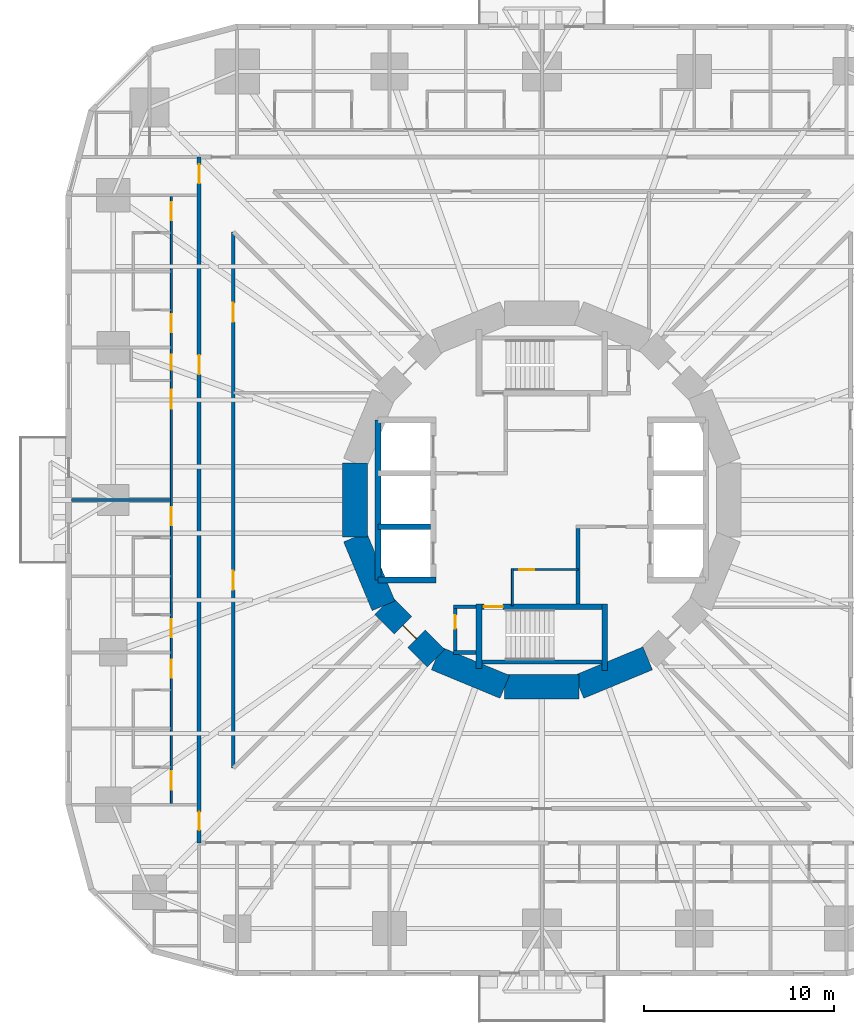
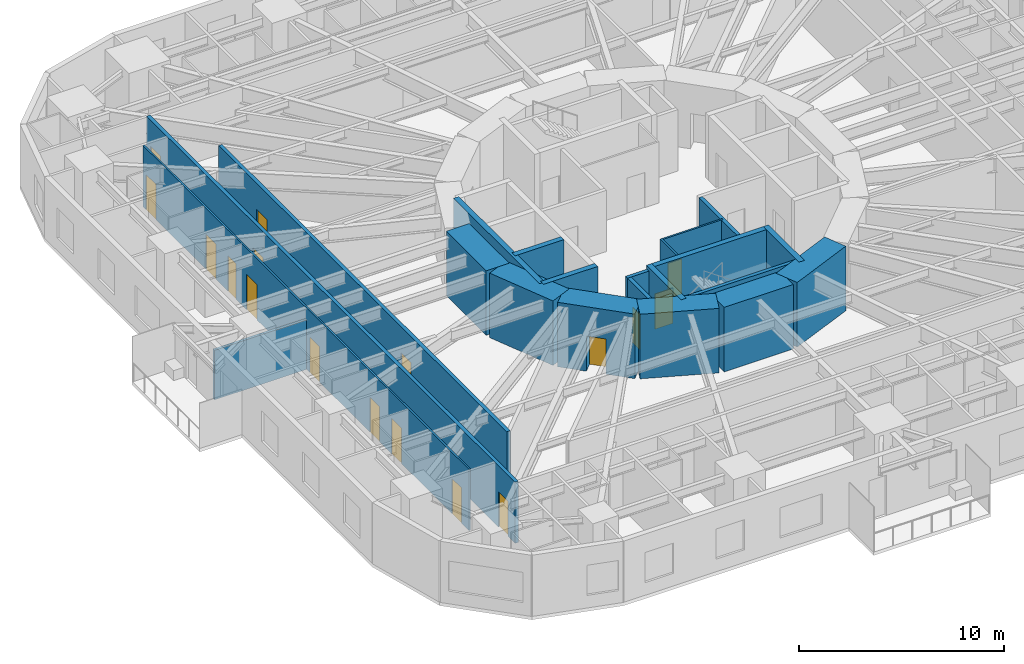
# One storey, part 6 of 14: 23 walls, 17 doors, 17 openings.
"""IFC4 building model written with IfcOpenShell, lengths in metres."""

from ifc_helpers import new_model, si_unit, direction, frame, frame_2d, origin, place, context, subcontext, project, spatial, rectangle, extrude, material, layer, layer_set, type_object, element, fill, save


model = new_model("IFC4")

# Units and contexts
model_context = context("Model", 3, precision=1e-05, world=origin(), true_north=direction((0.0, 1.0)))
body_context = subcontext(model_context, "Body", "Model", "MODEL_VIEW")
ifc_project = project(units=[si_unit("LENGTHUNIT", "METRE"), si_unit("AREAUNIT", "SQUARE_METRE"), si_unit("VOLUMEUNIT", "CUBIC_METRE"), si_unit("PLANEANGLEUNIT", "RADIAN"), si_unit("MASSUNIT", "GRAM", prefix="KILO")], contexts=[model_context])

# Site, building, storey
site_placement = place(None, origin())
site = spatial("IfcSite", under=ifc_project, at=site_placement, CompositionType="ELEMENT")
building_placement = place(site_placement, origin())
building = spatial("IfcBuilding", under=site, at=building_placement, Name="Nakasero Lantern House", CompositionType="ELEMENT")
storey_placement = place(building_placement, frame((0.0, 0.0, 31.39990234375)))
storey = spatial("IfcBuildingStorey", under=building, at=storey_placement, Name="L07", CompositionType="ELEMENT", Elevation=31.39990234375)

# Wall, openings, doors
ifc_material_1 = material(Name="Blockwork", Category="masonry")
ifc_layer_1 = layer(ifc_material_1, 0.10009765625)
ifc_layer_set_1 = layer_set([ifc_layer_1], Name="Cluster hall wall 100")
wall_type_1 = type_object("IfcWallType", Name="Cluster hall wall 100", PredefinedType="PARTITIONING", material=ifc_layer_set_1)
wall_1_placement = place(storey_placement, frame((-19.449951171875, 15.925048828125, 0.0), z_axis=(0.0, 0.0, 1.0), x_axis=(0.0, -1.0, 0.0)))
wall_1 = element("IfcWall", 1, at=wall_1_placement, inside=storey, type_object=wall_type_1, Name="Cluster hall wall L07 HW2-0", PredefinedType="PARTITIONING", context=body_context, shape_type="SweptSolid", body=[
    extrude(rectangle(XDim=31.85009765625, YDim=0.10009765625, at=frame_2d((15.925048828125, 0.0))), origin(), (0.0, 0.0, 1.0), 3.650146484375),
])
opening_1_placement = place(wall_1_placement, frame((10.125, 0.0, 0.0)))
opening_1 = element("IfcOpeningElement", 2, at=opening_1_placement, cuts=wall_1, Name="Opening D03", PredefinedType="OPENING", context=body_context, shape_type="SweptSolid", body=[
    extrude(rectangle(XDim=1.0, YDim=2.10009765625, at=frame_2d((0.5, 1.050048828125))), frame((0.0, 0.070068359375, 0.0), z_axis=(0.0, -1.0, 0.0), x_axis=(1.0, 0.0, 0.0)), (0.0, 0.0, 1.0), 0.14013671875),
])
opening_2_placement = place(wall_1_placement, frame((8.300048828125, 0.0, 0.0)))
opening_2 = element("IfcOpeningElement", 3, at=opening_2_placement, cuts=wall_1, Name="Opening D02", PredefinedType="OPENING", context=body_context, shape_type="SweptSolid", body=[
    extrude(rectangle(XDim=0.800048828125, YDim=2.10009765625, at=frame_2d((0.39990234375, 1.050048828125))), frame((0.0, 0.070068359375, 0.0), z_axis=(0.0, -1.0, 0.0), x_axis=(1.0, 0.0, 0.0)), (0.0, 0.0, 1.0), 0.14013671875),
])
opening_3_placement = place(wall_1_placement, frame((0.300048828125, 0.0, 0.0)))
opening_3 = element("IfcOpeningElement", 4, at=opening_3_placement, cuts=wall_1, Name="Opening D01", PredefinedType="OPENING", context=body_context, shape_type="SweptSolid", body=[
    extrude(rectangle(XDim=0.949951171875, YDim=2.10009765625, at=frame_2d((0.47509765625, 1.050048828125))), frame((0.0, 0.070068359375, 0.0), z_axis=(0.0, -1.0, 0.0), x_axis=(1.0, 0.0, 0.0)), (0.0, 0.0, 1.0), 0.14013671875),
])
opening_4_placement = place(wall_1_placement, frame((6.175048828125, 0.0, 0.0)))
opening_4 = element("IfcOpeningElement", 5, at=opening_4_placement, cuts=wall_1, Name="Opening D01", PredefinedType="OPENING", context=body_context, shape_type="SweptSolid", body=[
    extrude(rectangle(XDim=0.949951171875, YDim=2.10009765625, at=frame_2d((0.47509765625, 1.050048828125))), frame((0.0, 0.070068359375, 0.0), z_axis=(0.0, -1.0, 0.0), x_axis=(1.0, 0.0, 0.0)), (0.0, 0.0, 1.0), 0.14013671875),
])
opening_5_placement = place(wall_1_placement, frame((16.300048828125, 0.0, 0.0)))
opening_5 = element("IfcOpeningElement", 6, at=opening_5_placement, cuts=wall_1, Name="Opening D01", PredefinedType="OPENING", context=body_context, shape_type="SweptSolid", body=[
    extrude(rectangle(XDim=0.949951171875, YDim=2.10009765625, at=frame_2d((0.47509765625, 1.050048828125))), frame((0.0, 0.070068359375, 0.0), z_axis=(0.0, -1.0, 0.0), x_axis=(1.0, 0.0, 0.0)), (0.0, 0.0, 1.0), 0.14013671875),
])
opening_6_placement = place(wall_1_placement, frame((22.175048828125, 0.0, 0.0)))
opening_6 = element("IfcOpeningElement", 7, at=opening_6_placement, cuts=wall_1, Name="Opening D01", PredefinedType="OPENING", context=body_context, shape_type="SweptSolid", body=[
    extrude(rectangle(XDim=0.949951171875, YDim=2.10009765625, at=frame_2d((0.47509765625, 1.050048828125))), frame((0.0, 0.070068359375, 0.0), z_axis=(0.0, -1.0, 0.0), x_axis=(1.0, 0.0, 0.0)), (0.0, 0.0, 1.0), 0.14013671875),
])
opening_7_placement = place(wall_1_placement, frame((24.300048828125, 0.0, 0.0)))
opening_7 = element("IfcOpeningElement", 8, at=opening_7_placement, cuts=wall_1, Name="Opening D01", PredefinedType="OPENING", context=body_context, shape_type="SweptSolid", body=[
    extrude(rectangle(XDim=0.949951171875, YDim=2.10009765625, at=frame_2d((0.47509765625, 1.050048828125))), frame((0.0, 0.070068359375, 0.0), z_axis=(0.0, -1.0, 0.0), x_axis=(1.0, 0.0, 0.0)), (0.0, 0.0, 1.0), 0.14013671875),
])
opening_8_placement = place(wall_1_placement, frame((30.175048828125, 0.0, 0.0)))
opening_8 = element("IfcOpeningElement", 9, at=opening_8_placement, cuts=wall_1, Name="Opening D01", PredefinedType="OPENING", context=body_context, shape_type="SweptSolid", body=[
    extrude(rectangle(XDim=0.949951171875, YDim=2.10009765625, at=frame_2d((0.47509765625, 1.050048828125))), frame((0.0, 0.070068359375, 0.0), z_axis=(0.0, -1.0, 0.0), x_axis=(1.0, 0.0, 0.0)), (0.0, 0.0, 1.0), 0.14013671875),
])
ifc_material_2 = material(Name="Timber C24", Category="wood")
door_type_1 = type_object("IfcDoorType", Name="Bedroom door FD30S 950", OperationType="SINGLE_SWING_LEFT", PredefinedType="DOOR", material=ifc_material_2)
door_1_placement = place(opening_3_placement, origin())
door_1 = element("IfcDoor", 10, at=door_1_placement, inside=storey, type_object=door_type_1, Name="Door L07 D2-01", OperationType="SINGLE_SWING_LEFT", OverallHeight=2.10009765625, OverallWidth=0.949951171875, PredefinedType="DOOR", context=body_context, shape_type="SweptSolid", body=[
    extrude(rectangle(XDim=0.949951171875, YDim=2.10009765625, at=frame_2d((0.47509765625, 1.050048828125))), frame((0.0, 0.02490234375, 0.0), z_axis=(0.0, -1.0, 0.0), x_axis=(1.0, 0.0, 0.0)), (0.0, 0.0, 1.0), 0.050048828125),
])
fill(opening_3, door_1)
door_2_placement = place(opening_4_placement, origin())
door_2 = element("IfcDoor", 11, at=door_2_placement, inside=storey, type_object=door_type_1, Name="Door L07 D2-02", OperationType="SINGLE_SWING_LEFT", OverallHeight=2.10009765625, OverallWidth=0.949951171875, PredefinedType="DOOR", context=body_context, shape_type="SweptSolid", body=[
    extrude(rectangle(XDim=0.949951171875, YDim=2.10009765625, at=frame_2d((0.47509765625, 1.050048828125))), frame((0.0, 0.02490234375, 0.0), z_axis=(0.0, -1.0, 0.0), x_axis=(1.0, 0.0, 0.0)), (0.0, 0.0, 1.0), 0.050048828125),
])
fill(opening_4, door_2)
door_3_placement = place(opening_5_placement, origin())
door_3 = element("IfcDoor", 12, at=door_3_placement, inside=storey, type_object=door_type_1, Name="Door L07 D2-05", OperationType="SINGLE_SWING_RIGHT", OverallHeight=2.10009765625, OverallWidth=0.949951171875, PredefinedType="DOOR", context=body_context, shape_type="SweptSolid", body=[
    extrude(rectangle(XDim=0.949951171875, YDim=2.10009765625, at=frame_2d((0.47509765625, 1.050048828125))), frame((0.0, 0.02490234375, 0.0), z_axis=(0.0, -1.0, 0.0), x_axis=(1.0, 0.0, 0.0)), (0.0, 0.0, 1.0), 0.050048828125),
])
fill(opening_5, door_3)
door_4_placement = place(opening_6_placement, origin())
door_4 = element("IfcDoor", 13, at=door_4_placement, inside=storey, type_object=door_type_1, Name="Door L07 D2-06", OperationType="SINGLE_SWING_RIGHT", OverallHeight=2.10009765625, OverallWidth=0.949951171875, PredefinedType="DOOR", context=body_context, shape_type="SweptSolid", body=[
    extrude(rectangle(XDim=0.949951171875, YDim=2.10009765625, at=frame_2d((0.47509765625, 1.050048828125))), frame((0.0, 0.02490234375, 0.0), z_axis=(0.0, -1.0, 0.0), x_axis=(1.0, 0.0, 0.0)), (0.0, 0.0, 1.0), 0.050048828125),
])
fill(opening_6, door_4)
door_5_placement = place(opening_7_placement, origin())
door_5 = element("IfcDoor", 14, at=door_5_placement, inside=storey, type_object=door_type_1, Name="Door L07 D2-07", OperationType="SINGLE_SWING_RIGHT", OverallHeight=2.10009765625, OverallWidth=0.949951171875, PredefinedType="DOOR", context=body_context, shape_type="SweptSolid", body=[
    extrude(rectangle(XDim=0.949951171875, YDim=2.10009765625, at=frame_2d((0.47509765625, 1.050048828125))), frame((0.0, 0.02490234375, 0.0), z_axis=(0.0, -1.0, 0.0), x_axis=(1.0, 0.0, 0.0)), (0.0, 0.0, 1.0), 0.050048828125),
])
fill(opening_7, door_5)
door_6_placement = place(opening_8_placement, origin())
door_6 = element("IfcDoor", 15, at=door_6_placement, inside=storey, type_object=door_type_1, Name="Door L07 D2-08", OperationType="SINGLE_SWING_RIGHT", OverallHeight=2.10009765625, OverallWidth=0.949951171875, PredefinedType="DOOR", context=body_context, shape_type="SweptSolid", body=[
    extrude(rectangle(XDim=0.949951171875, YDim=2.10009765625, at=frame_2d((0.47509765625, 1.050048828125))), frame((0.0, 0.02490234375, 0.0), z_axis=(0.0, -1.0, 0.0), x_axis=(1.0, 0.0, 0.0)), (0.0, 0.0, 1.0), 0.050048828125),
])
fill(opening_8, door_6)
ifc_material_3 = material(Name="Timber C24", Category="wood")
door_type_2 = type_object("IfcDoorType", Name="En-suite door 800", OperationType="SINGLE_SWING_RIGHT", PredefinedType="DOOR", material=ifc_material_3)
door_7_placement = place(opening_2_placement, origin())
door_7 = element("IfcDoor", 16, at=door_7_placement, inside=storey, type_object=door_type_2, Name="Door L07 DSH2-0", OperationType="SINGLE_SWING_LEFT", OverallHeight=2.10009765625, OverallWidth=0.800048828125, PredefinedType="DOOR", context=body_context, shape_type="SweptSolid", body=[
    extrude(rectangle(XDim=0.800048828125, YDim=2.10009765625, at=frame_2d((0.39990234375, 1.050048828125))), frame((0.0, 0.02490234375, 0.0), z_axis=(0.0, -1.0, 0.0), x_axis=(1.0, 0.0, 0.0)), (0.0, 0.0, 1.0), 0.050048828125),
])
fill(opening_2, door_7)
ifc_material_4 = material(Name="Timber C24", Category="wood")
door_type_3 = type_object("IfcDoorType", Name="Lounge door FD30S 1000", OperationType="SINGLE_SWING_LEFT", PredefinedType="DOOR", material=ifc_material_4)
door_8_placement = place(opening_1_placement, origin())
door_8 = element("IfcDoor", 17, at=door_8_placement, inside=storey, type_object=door_type_3, Name="Door L07 DH2-0", OperationType="SINGLE_SWING_LEFT", OverallHeight=2.10009765625, OverallWidth=1.0, PredefinedType="DOOR", context=body_context, shape_type="SweptSolid", body=[
    extrude(rectangle(XDim=1.0, YDim=2.10009765625, at=frame_2d((0.5, 1.050048828125))), frame((0.0, 0.02490234375, 0.0), z_axis=(0.0, -1.0, 0.0), x_axis=(1.0, 0.0, 0.0)), (0.0, 0.0, 1.0), 0.050048828125),
])
fill(opening_1, door_8)

# Walls
ifc_material_5 = material(Name="Concrete C50/60", Category="concrete")
ifc_layer_2 = layer(ifc_material_5, 0.300048828125)
ifc_layer_set_2 = layer_set([ifc_layer_2], Name="Core inner wall 300")
wall_type_2 = type_object("IfcWallType", Name="Core inner wall 300", PredefinedType="SHEAR", material=ifc_layer_set_2)
wall_2_placement = place(storey_placement, frame((-8.60009765625, -4.199951171875, 0.0), z_axis=(0.0, 0.0, 1.0), x_axis=(1.0, 0.0, 0.0)))
element("IfcWall", 18, at=wall_2_placement, inside=storey, type_object=wall_type_2, Name="Core inner wall L07 LWS", PredefinedType="SHEAR", context=body_context, shape_type="SweptSolid", body=[
    extrude(rectangle(XDim=3.050048828125, YDim=0.300048828125, at=frame_2d((1.52490234375, 0.0))), origin(), (0.0, 0.0, 1.0), 3.85009765625),
])
wall_3_placement = place(storey_placement, frame((-8.60009765625, -4.199951171875, 0.0), z_axis=(0.0, 0.0, 1.0), x_axis=(0.0, 1.0, 0.0)))
element("IfcWall", 19, at=wall_3_placement, inside=storey, type_object=wall_type_2, Name="Core inner wall L07 LWB", PredefinedType="SHEAR", context=body_context, shape_type="SweptSolid", body=[
    extrude(rectangle(XDim=8.39990234375, YDim=0.300048828125, at=frame_2d((4.199951171875, 0.0))), origin(), (0.0, 0.0, 1.0), 3.85009765625),
])
wall_4_placement = place(storey_placement, frame((-8.60009765625, -1.39990234375, 0.0), z_axis=(0.0, 0.0, 1.0), x_axis=(1.0, 0.0, 0.0)))
element("IfcWall", 20, at=wall_4_placement, inside=storey, type_object=wall_type_2, Name="Core inner wall L07 LW1", PredefinedType="SHEAR", context=body_context, shape_type="SweptSolid", body=[
    extrude(rectangle(XDim=2.75, YDim=0.300048828125, at=frame_2d((1.375, 0.0))), origin(), (0.0, 0.0, 1.0), 3.85009765625),
])

# Wall, opening, door
wall_5_placement = place(storey_placement, frame((-3.449951171875, -5.60009765625, 0.0), z_axis=(0.0, 0.0, 1.0), x_axis=(1.0, 0.0, 0.0)))
wall_5 = element("IfcWall", 21, at=wall_5_placement, inside=storey, type_object=wall_type_2, Name="Core inner wall L07 SS", PredefinedType="SHEAR", context=body_context, shape_type="SweptSolid", body=[
    extrude(rectangle(XDim=6.89990234375, YDim=0.300048828125, at=frame_2d((3.449951171875, 0.0))), origin(), (0.0, 0.0, 1.0), 3.85009765625),
])
opening_9_placement = place(wall_5_placement, frame((0.39990234375, 0.0, 0.0)))
opening_9 = element("IfcOpeningElement", 22, at=opening_9_placement, cuts=wall_5, Name="Opening D05", PredefinedType="OPENING", context=body_context, shape_type="SweptSolid", body=[
    extrude(rectangle(XDim=1.0, YDim=2.10009765625, at=frame_2d((0.5, 1.050048828125))), frame((0.0, 0.169921875, 0.0), z_axis=(0.0, -1.0, 0.0), x_axis=(1.0, 0.0, 0.0)), (0.0, 0.0, 1.0), 0.340087890625),
])
ifc_material_6 = material(Name="Timber C24", Category="wood")
door_type_4 = type_object("IfcDoorType", Name="Core door FD60S 1000", OperationType="SINGLE_SWING_LEFT", PredefinedType="DOOR", material=ifc_material_6)
door_9_placement = place(opening_9_placement, origin())
door_9 = element("IfcDoor", 23, at=door_9_placement, inside=storey, type_object=door_type_4, Name="Door L07 D-ST2", OperationType="SINGLE_SWING_LEFT", OverallHeight=2.10009765625, OverallWidth=1.0, PredefinedType="DOOR", context=body_context, shape_type="SweptSolid", body=[
    extrude(rectangle(XDim=1.0, YDim=2.10009765625, at=frame_2d((0.5, 1.050048828125))), frame((0.0, 0.02490234375, 0.0), z_axis=(0.0, -1.0, 0.0), x_axis=(1.0, 0.0, 0.0)), (0.0, 0.0, 1.0), 0.050048828125),
])
fill(opening_9, door_9)

# Walls
wall_6_placement = place(storey_placement, frame((-3.300048828125, -5.449951171875, 0.0), z_axis=(0.0, 0.0, 1.0), x_axis=(0.0, -1.0, 0.0)))
element("IfcWall", 24, at=wall_6_placement, inside=storey, type_object=wall_type_2, Name="Core inner wall L07 SSW", PredefinedType="SHEAR", context=body_context, shape_type="SweptSolid", body=[
    extrude(rectangle(XDim=3.400146484375, YDim=0.300048828125, at=frame_2d((1.7001953125, 0.0))), origin(), (0.0, 0.0, 1.0), 3.85009765625),
])
wall_7_placement = place(storey_placement, frame((3.300048828125, -5.449951171875, 0.0), z_axis=(0.0, 0.0, 1.0), x_axis=(0.0, -1.0, 0.0)))
element("IfcWall", 25, at=wall_7_placement, inside=storey, type_object=wall_type_2, Name="Core inner wall L07 SSE", PredefinedType="SHEAR", context=body_context, shape_type="SweptSolid", body=[
    extrude(rectangle(XDim=3.5, YDim=0.300048828125, at=frame_2d((1.75, 0.0))), origin(), (0.0, 0.0, 1.0), 3.85009765625),
])

# Wall, opening, door
ifc_material_7 = material(Name="Blockwork", Category="masonry")
ifc_layer_3 = layer(ifc_material_7, 0.10009765625)
ifc_layer_set_3 = layer_set([ifc_layer_3], Name="Core room wall 100")
wall_type_3 = type_object("IfcWallType", Name="Core room wall 100", PredefinedType="PARTITIONING", material=ifc_layer_set_3)
wall_8_placement = place(storey_placement, frame((-1.60009765625, -3.64990234375, 0.0), z_axis=(0.0, 0.0, 1.0), x_axis=(1.0, 0.0, 0.0)))
wall_8 = element("IfcWall", 26, at=wall_8_placement, inside=storey, type_object=wall_type_3, Name="Core room wall L07 CR-SWN", PredefinedType="PARTITIONING", context=body_context, shape_type="SweptSolid", body=[
    extrude(rectangle(XDim=3.5, YDim=0.10009765625, at=frame_2d((1.75, 0.0))), origin(), (0.0, 0.0, 1.0), 3.650146484375),
])
opening_10_placement = place(wall_8_placement, frame((0.39990234375, 0.0, 0.0)))
opening_10 = element("IfcOpeningElement", 27, at=opening_10_placement, cuts=wall_8, Name="Opening D15", PredefinedType="OPENING", context=body_context, shape_type="SweptSolid", body=[
    extrude(rectangle(XDim=0.800048828125, YDim=2.10009765625, at=frame_2d((0.39990234375, 1.050048828125))), frame((0.0, 0.070068359375, 0.0), z_axis=(0.0, -1.0, 0.0), x_axis=(1.0, 0.0, 0.0)), (0.0, 0.0, 1.0), 0.14013671875),
])
ifc_material_8 = material(Name="Timber C24", Category="wood")
door_type_5 = type_object("IfcDoorType", Name="Cleaner's store door FD30S 800", OperationType="SINGLE_SWING_LEFT", PredefinedType="DOOR", material=ifc_material_8)
door_10_placement = place(opening_10_placement, origin())
door_10 = element("IfcDoor", 28, at=door_10_placement, inside=storey, type_object=door_type_5, Name="Door L07 D-CR-SW", OperationType="SINGLE_SWING_LEFT", OverallHeight=2.10009765625, OverallWidth=0.800048828125, PredefinedType="DOOR", context=body_context, shape_type="SweptSolid", body=[
    extrude(rectangle(XDim=0.800048828125, YDim=2.10009765625, at=frame_2d((0.39990234375, 1.050048828125))), frame((0.0, 0.02490234375, 0.0), z_axis=(0.0, -1.0, 0.0), x_axis=(1.0, 0.0, 0.0)), (0.0, 0.0, 1.0), 0.050048828125),
])
fill(opening_10, door_10)

# Walls
wall_9_placement = place(storey_placement, frame((-1.550048828125, -5.550048828125, 0.0), z_axis=(0.0, 0.0, 1.0), x_axis=(0.0, 1.0, 0.0)))
element("IfcWall", 29, at=wall_9_placement, inside=storey, type_object=wall_type_3, Name="Core room wall L07 CR-SWW", PredefinedType="PARTITIONING", context=body_context, shape_type="SweptSolid", body=[
    extrude(rectangle(XDim=1.949951171875, YDim=0.10009765625, at=frame_2d((0.97509765625, 0.0))), origin(), (0.0, 0.0, 1.0), 3.650146484375),
])
ifc_material_9 = material(Name="Concrete C50/60", Category="concrete")
ifc_layer_4 = layer(ifc_material_9, 1.300048828125)
ifc_layer_set_4 = layer_set([ifc_layer_4], Name="Core wall 1300")
wall_type_4 = type_object("IfcWallType", Name="Core wall 1300", PredefinedType="SHEAR", material=ifc_layer_set_4)
for number, where, z_axis, x_axis, name in (
    (30, (-9.807861328125, 1.950927734375, 0.0), (0.0, 0.0, 1.0), (0.0, -1.0, 0.0), "Core wall L07 facet 8"),
    (31, (-9.807861328125, -1.950927734375, 0.0), (0.0, 0.0, 1.0), (0.382690736062, -0.923876507187, 0.0), "Core wall L07 facet 9"),
):
    element("IfcWall", number, at=place(storey_placement, frame(where, z_axis=z_axis, x_axis=x_axis)), inside=storey, type_object=wall_type_4, Name=name, PredefinedType="SHEAR", context=body_context, shape_type="SweptSolid", body=[
        extrude(rectangle(XDim=3.90185546875, YDim=1.300048828125, at=frame_2d((1.950927734375, 0.0))), origin(), (0.0, 0.0, 1.0), 3.85009765625),
    ])

# Wall, opening, door
wall_10_placement = place(storey_placement, frame((-8.314697265625, -5.5556640625, 0.0), z_axis=(0.0, 0.0, 1.0), x_axis=(0.707106781187, -0.707106781187, 0.0)))
wall_10 = element("IfcWall", 32, at=wall_10_placement, inside=storey, type_object=wall_type_4, Name="Core wall L07 facet 10", PredefinedType="SHEAR", context=body_context, shape_type="SweptSolid", body=[
    extrude(rectangle(XDim=3.90185546875, YDim=1.300048828125, at=frame_2d((1.950927734375, 0.0))), origin(), (0.0, 0.0, 1.0), 3.85009765625),
])
opening_11_placement = place(wall_10_placement, frame((1.450927734375, 0.0, 0.0)))
opening_11 = element("IfcOpeningElement", 33, at=opening_11_placement, cuts=wall_10, Name="Opening D05", PredefinedType="OPENING", context=body_context, shape_type="SweptSolid", body=[
    extrude(rectangle(XDim=1.0, YDim=2.10009765625, at=frame_2d((0.5, 1.050048828125))), frame((0.0, 0.669921875, 0.0), z_axis=(0.0, -1.0, 0.0), x_axis=(1.0, 0.0, 0.0)), (0.0, 0.0, 1.0), 1.340087890625),
])
door_11_placement = place(opening_11_placement, origin())
door_11 = element("IfcDoor", 34, at=door_11_placement, inside=storey, type_object=door_type_4, Name="Door L07 D-CORE10", OperationType="SINGLE_SWING_LEFT", OverallHeight=2.10009765625, OverallWidth=1.0, PredefinedType="DOOR", context=body_context, shape_type="SweptSolid", body=[
    extrude(rectangle(XDim=1.0, YDim=2.10009765625, at=frame_2d((0.5, 1.050048828125))), frame((0.0, 0.02490234375, 0.0), z_axis=(0.0, -1.0, 0.0), x_axis=(1.0, 0.0, 0.0)), (0.0, 0.0, 1.0), 0.050048828125),
])
fill(opening_11, door_11)

# Walls
for number, where, z_axis, x_axis, name in (
    (35, (-5.5556640625, -8.314697265625, 0.0), (0.0, 0.0, 1.0), (0.923876507187, -0.382690736062, 0.0), "Core wall L07 facet 11"),
    (36, (-1.950927734375, -9.807861328125, 0.0), (0.0, 0.0, 1.0), (1.0, 0.0, 0.0), "Core wall L07 facet 12"),
    (37, (1.950927734375, -9.807861328125, 0.0), (0.0, 0.0, 1.0), (0.923876507187, 0.382690736062, 0.0), "Core wall L07 facet 13"),
):
    element("IfcWall", number, at=place(storey_placement, frame(where, z_axis=z_axis, x_axis=x_axis)), inside=storey, type_object=wall_type_4, Name=name, PredefinedType="SHEAR", context=body_context, shape_type="SweptSolid", body=[
        extrude(rectangle(XDim=3.90185546875, YDim=1.300048828125, at=frame_2d((1.950927734375, 0.0))), origin(), (0.0, 0.0, 1.0), 3.85009765625),
    ])

# Wall, openings, doors
ifc_material_10 = material(Name="Blockwork", Category="masonry")
ifc_layer_5 = layer(ifc_material_10, 0.199951171875)
ifc_layer_set_5 = layer_set([ifc_layer_5], Name="Corridor wall 200")
wall_type_5 = type_object("IfcWallType", Name="Corridor wall 200", PredefinedType="PARTITIONING", material=ifc_layer_set_5)
wall_11_placement = place(storey_placement, frame((-18.0, 18.0, 0.0), z_axis=(0.0, 0.0, 1.0), x_axis=(0.0, -1.0, 0.0)))
wall_11 = element("IfcWall", 38, at=wall_11_placement, inside=storey, type_object=wall_type_5, Name="Corridor wall L07 CW2", PredefinedType="PARTITIONING", context=body_context, shape_type="SweptSolid", body=[
    extrude(rectangle(XDim=36.0, YDim=0.199951171875, at=frame_2d((18.0, 0.0))), origin(), (0.0, 0.0, 1.0), 3.650146484375),
])
opening_12_placement = place(wall_11_placement, frame((10.39990234375, 0.0, 0.0)))
opening_12 = element("IfcOpeningElement", 39, at=opening_12_placement, cuts=wall_11, Name="Opening D14", PredefinedType="OPENING", context=body_context, shape_type="SweptSolid", body=[
    extrude(rectangle(XDim=1.0, YDim=2.10009765625, at=frame_2d((0.5, 1.050048828125))), frame((0.0, 0.119873046875, 0.0), z_axis=(0.0, -1.0, 0.0), x_axis=(1.0, 0.0, 0.0)), (0.0, 0.0, 1.0), 0.239990234375),
])
opening_13_placement = place(wall_11_placement, frame((0.375, 0.0, 0.0)))
opening_13 = element("IfcOpeningElement", 40, at=opening_13_placement, cuts=wall_11, Name="Opening D07", PredefinedType="OPENING", context=body_context, shape_type="SweptSolid", body=[
    extrude(rectangle(XDim=1.0, YDim=2.10009765625, at=frame_2d((0.5, 1.050048828125))), frame((0.0, 0.119873046875, 0.0), z_axis=(0.0, -1.0, 0.0), x_axis=(1.0, 0.0, 0.0)), (0.0, 0.0, 1.0), 0.239990234375),
])
opening_14_placement = place(wall_11_placement, frame((34.375, 0.0, 0.0)))
opening_14 = element("IfcOpeningElement", 41, at=opening_14_placement, cuts=wall_11, Name="Opening D01", PredefinedType="OPENING", context=body_context, shape_type="SweptSolid", body=[
    extrude(rectangle(XDim=0.949951171875, YDim=2.10009765625, at=frame_2d((0.47509765625, 1.050048828125))), frame((0.0, 0.119873046875, 0.0), z_axis=(0.0, -1.0, 0.0), x_axis=(1.0, 0.0, 0.0)), (0.0, 0.0, 1.0), 0.239990234375),
])
door_12_placement = place(opening_14_placement, origin())
door_12 = element("IfcDoor", 42, at=door_12_placement, inside=storey, type_object=door_type_1, Name="Door L07 D2-09", OperationType="SINGLE_SWING_RIGHT", OverallHeight=2.10009765625, OverallWidth=0.949951171875, PredefinedType="DOOR", context=body_context, shape_type="SweptSolid", body=[
    extrude(rectangle(XDim=0.949951171875, YDim=2.10009765625, at=frame_2d((0.47509765625, 1.050048828125))), frame((0.0, 0.02490234375, 0.0), z_axis=(0.0, -1.0, 0.0), x_axis=(1.0, 0.0, 0.0)), (0.0, 0.0, 1.0), 0.050048828125),
])
fill(opening_14, door_12)
ifc_material_11 = material(Name="Timber C24", Category="wood")
door_type_6 = type_object("IfcDoorType", Name="Cluster entrance door FD30S 1000", OperationType="SINGLE_SWING_LEFT", PredefinedType="DOOR", material=ifc_material_11)
door_13_placement = place(opening_12_placement, origin())
door_13 = element("IfcDoor", 43, at=door_13_placement, inside=storey, type_object=door_type_6, Name="Door L07 DF2-0", OperationType="SINGLE_SWING_LEFT", OverallHeight=2.10009765625, OverallWidth=1.0, PredefinedType="DOOR", context=body_context, shape_type="SweptSolid", body=[
    extrude(rectangle(XDim=1.0, YDim=2.10009765625, at=frame_2d((0.5, 1.050048828125))), frame((0.0, 0.02490234375, 0.0), z_axis=(0.0, -1.0, 0.0), x_axis=(1.0, 0.0, 0.0)), (0.0, 0.0, 1.0), 0.050048828125),
])
fill(opening_12, door_13)
ifc_material_12 = material(Name="Timber C24", Category="wood")
door_type_7 = type_object("IfcDoorType", Name="Room door FD30S 1000", OperationType="SINGLE_SWING_LEFT", PredefinedType="DOOR", material=ifc_material_12)
door_14_placement = place(opening_13_placement, origin())
door_14 = element("IfcDoor", 44, at=door_14_placement, inside=storey, type_object=door_type_7, Name="Door L07 D2-00", OperationType="SINGLE_SWING_LEFT", OverallHeight=2.10009765625, OverallWidth=1.0, PredefinedType="DOOR", context=body_context, shape_type="SweptSolid", body=[
    extrude(rectangle(XDim=1.0, YDim=2.10009765625, at=frame_2d((0.5, 1.050048828125))), frame((0.0, 0.02490234375, 0.0), z_axis=(0.0, -1.0, 0.0), x_axis=(1.0, 0.0, 0.0)), (0.0, 0.0, 1.0), 0.050048828125),
])
fill(opening_13, door_14)

wall_12_placement = place(storey_placement, frame((-16.199951171875, 14.07861328125, 0.0), z_axis=(0.0, 0.0, 1.0), x_axis=(0.0, -1.0, 0.0)))
wall_12 = element("IfcWall", 45, at=wall_12_placement, inside=storey, type_object=wall_type_5, Name="Corridor wall L07 IW2-0", PredefinedType="PARTITIONING", context=body_context, shape_type="SweptSolid", body=[
    extrude(rectangle(XDim=28.1572265625, YDim=0.199951171875, at=frame_2d((14.07861328125, 0.0))), origin(), (0.0, 0.0, 1.0), 3.650146484375),
])
opening_15_placement = place(wall_12_placement, frame((3.7236328125, 0.0, 0.0)))
opening_15 = element("IfcOpeningElement", 46, at=opening_15_placement, cuts=wall_12, Name="Opening D07", PredefinedType="OPENING", context=body_context, shape_type="SweptSolid", body=[
    extrude(rectangle(XDim=1.0, YDim=2.10009765625, at=frame_2d((0.5, 1.050048828125))), frame((0.0, 0.119873046875, 0.0), z_axis=(0.0, -1.0, 0.0), x_axis=(1.0, 0.0, 0.0)), (0.0, 0.0, 1.0), 0.239990234375),
])
opening_16_placement = place(wall_12_placement, frame((17.80224609375, 0.0, 0.0)))
opening_16 = element("IfcOpeningElement", 47, at=opening_16_placement, cuts=wall_12, Name="Opening D07", PredefinedType="OPENING", context=body_context, shape_type="SweptSolid", body=[
    extrude(rectangle(XDim=1.0, YDim=2.10009765625, at=frame_2d((0.5, 1.050048828125))), frame((0.0, 0.119873046875, 0.0), z_axis=(0.0, -1.0, 0.0), x_axis=(1.0, 0.0, 0.0)), (0.0, 0.0, 1.0), 0.239990234375),
])
door_15_placement = place(opening_15_placement, origin())
door_15 = element("IfcDoor", 48, at=door_15_placement, inside=storey, type_object=door_type_7, Name="Door L07 DI4", OperationType="SINGLE_SWING_LEFT", OverallHeight=2.10009765625, OverallWidth=1.0, PredefinedType="DOOR", context=body_context, shape_type="SweptSolid", body=[
    extrude(rectangle(XDim=1.0, YDim=2.10009765625, at=frame_2d((0.5, 1.050048828125))), frame((0.0, 0.02490234375, 0.0), z_axis=(0.0, -1.0, 0.0), x_axis=(1.0, 0.0, 0.0)), (0.0, 0.0, 1.0), 0.050048828125),
])
fill(opening_15, door_15)
door_16_placement = place(opening_16_placement, origin())
door_16 = element("IfcDoor", 49, at=door_16_placement, inside=storey, type_object=door_type_7, Name="Door L07 DI4S", OperationType="SINGLE_SWING_RIGHT", OverallHeight=2.10009765625, OverallWidth=1.0, PredefinedType="DOOR", context=body_context, shape_type="SweptSolid", body=[
    extrude(rectangle(XDim=1.0, YDim=2.10009765625, at=frame_2d((0.5, 1.050048828125))), frame((0.0, 0.02490234375, 0.0), z_axis=(0.0, -1.0, 0.0), x_axis=(1.0, 0.0, 0.0)), (0.0, 0.0, 1.0), 0.050048828125),
])
fill(opening_16, door_16)

# Wall
ifc_material_13 = material(Name="Blockwork", Category="masonry")
ifc_layer_6 = layer(ifc_material_13, 0.199951171875)
ifc_layer_set_6 = layer_set([ifc_layer_6], Name="Fire lobby wall 200")
wall_type_6 = type_object("IfcWallType", Name="Fire lobby wall 200", PredefinedType="PARTITIONING", material=ifc_layer_set_6)
wall_13_placement = place(storey_placement, frame((1.89990234375, -1.5, 0.0), z_axis=(0.0, 0.0, 1.0), x_axis=(0.0, -1.0, 0.0)))
element("IfcWall", 50, at=wall_13_placement, inside=storey, type_object=wall_type_6, Name="Fire lobby wall L07 W-FL2W", PredefinedType="PARTITIONING", context=body_context, shape_type="SweptSolid", body=[
    extrude(rectangle(XDim=3.949951171875, YDim=0.199951171875, at=frame_2d((1.97509765625, 0.0))), origin(), (0.0, 0.0, 1.0), 3.650146484375),
])

# Wall, opening, door
wall_14_placement = place(storey_placement, frame((-4.550048828125, -5.60009765625, 0.0), z_axis=(0.0, 0.0, 1.0), x_axis=(0.0, -1.0, 0.0)))
wall_14 = element("IfcWall", 51, at=wall_14_placement, inside=storey, type_object=wall_type_6, Name="Fire lobby wall L07 W-RS2W", PredefinedType="PARTITIONING", context=body_context, shape_type="SweptSolid", body=[
    extrude(rectangle(XDim=2.39990234375, YDim=0.199951171875, at=frame_2d((1.199951171875, 0.0))), origin(), (0.0, 0.0, 1.0), 3.650146484375),
])
opening_17_placement = place(wall_14_placement, frame((0.449951171875, 0.0, 0.0)))
opening_17 = element("IfcOpeningElement", 52, at=opening_17_placement, cuts=wall_14, Name="Opening D06", PredefinedType="OPENING", context=body_context, shape_type="SweptSolid", body=[
    extrude(rectangle(XDim=0.699951171875, YDim=2.10009765625, at=frame_2d((0.35009765625, 1.050048828125))), frame((0.0, 0.119873046875, 0.0), z_axis=(0.0, -1.0, 0.0), x_axis=(1.0, 0.0, 0.0)), (0.0, 0.0, 1.0), 0.239990234375),
])
ifc_material_14 = material(Name="Steel S355", Category="steel")
door_type_8 = type_object("IfcDoorType", Name="Riser door FD60 700", OperationType="SINGLE_SWING_LEFT", PredefinedType="DOOR", material=ifc_material_14)
door_17_placement = place(opening_17_placement, origin())
door_17 = element("IfcDoor", 53, at=door_17_placement, inside=storey, type_object=door_type_8, Name="Door L07 D-RS2", OperationType="SINGLE_SWING_LEFT", OverallHeight=2.10009765625, OverallWidth=0.699951171875, PredefinedType="DOOR", context=body_context, shape_type="SweptSolid", body=[
    extrude(rectangle(XDim=0.699951171875, YDim=2.10009765625, at=frame_2d((0.35009765625, 1.050048828125))), frame((0.0, 0.02490234375, 0.0), z_axis=(0.0, -1.0, 0.0), x_axis=(1.0, 0.0, 0.0)), (0.0, 0.0, 1.0), 0.050048828125),
])
fill(opening_17, door_17)

# Walls
for number, where, z_axis, x_axis, name in (
    (54, (-3.449951171875, -8.0, 0.0), (0.0, 0.0, 1.0), (-1.0, 0.0, 0.0), "Fire lobby wall L07 W-RS2S"),
    (55, (-3.449951171875, -5.60009765625, 0.0), (0.0, 0.0, 1.0), (-1.0, 0.0, 0.0), "Fire lobby wall L07 W-RS2N"),
):
    element("IfcWall", number, at=place(storey_placement, frame(where, z_axis=z_axis, x_axis=x_axis)), inside=storey, type_object=wall_type_6, Name=name, PredefinedType="PARTITIONING", context=body_context, shape_type="SweptSolid", body=[
        extrude(rectangle(XDim=1.199951171875, YDim=0.199951171875, at=frame_2d((0.60009765625, 0.0))), origin(), (0.0, 0.0, 1.0), 3.650146484375),
    ])
wall_15_placement = place(storey_placement, frame((-3.300048828125, -8.5, 0.0), z_axis=(0.0, 0.0, 1.0), x_axis=(1.0, 0.0, 0.0)))
element("IfcWall", 56, at=wall_15_placement, inside=storey, type_object=wall_type_6, Name="Fire lobby wall L07 W-STS", PredefinedType="PARTITIONING", context=body_context, shape_type="SweptSolid", body=[
    extrude(rectangle(XDim=6.60009765625, YDim=0.199951171875, at=frame_2d((3.300048828125, 0.0))), origin(), (0.0, 0.0, 1.0), 3.650146484375),
])
ifc_material_15 = material(Name="Blockwork", Category="masonry")
ifc_layer_7 = layer(ifc_material_15, 0.14990234375)
ifc_layer_set_7 = layer_set([ifc_layer_7], Name="Party wall 150")
wall_type_7 = type_object("IfcWallType", Name="Party wall 150", PredefinedType="PARTITIONING", material=ifc_layer_set_7)
wall_16_placement = place(storey_placement, frame((-19.5, 0.0, 0.0), z_axis=(0.0, 0.0, 1.0), x_axis=(-1.0, 0.0, 0.0)))
element("IfcWall", 57, at=wall_16_placement, inside=storey, type_object=wall_type_7, Name="Party wall L07 PW2-05", PredefinedType="PARTITIONING", context=body_context, shape_type="SweptSolid", body=[
    extrude(rectangle(XDim=5.199951171875, YDim=0.14990234375, at=frame_2d((2.60009765625, 0.0))), origin(), (0.0, 0.0, 1.0), 2.957275390625),
])

save(model, "model.ifc")
